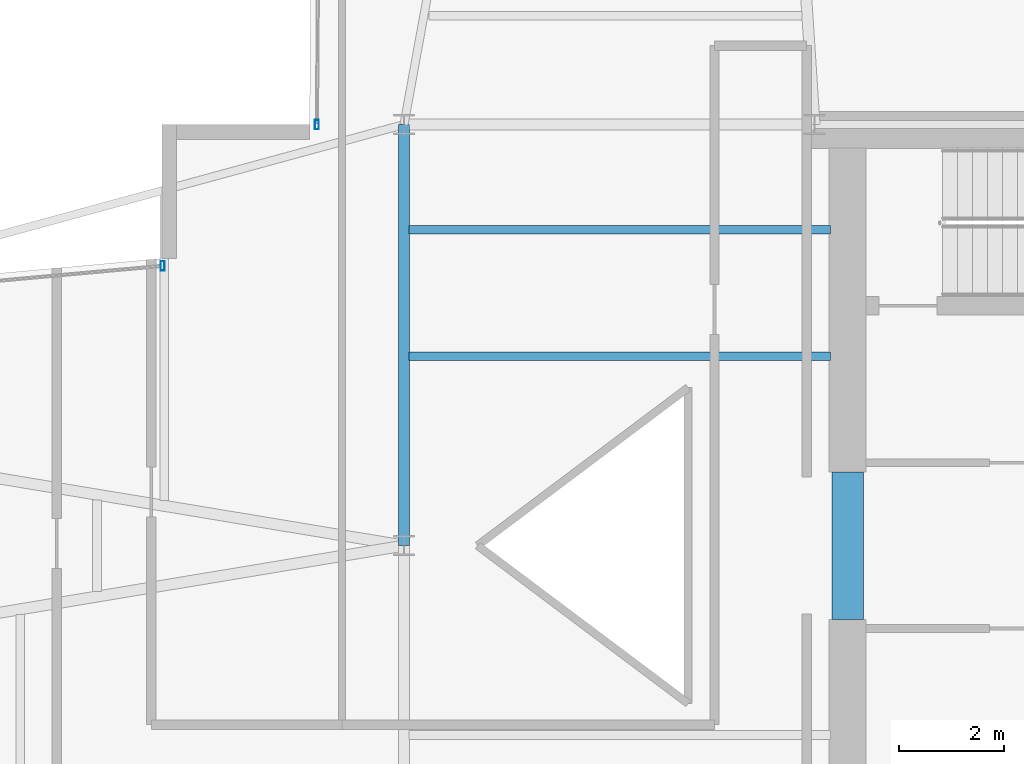
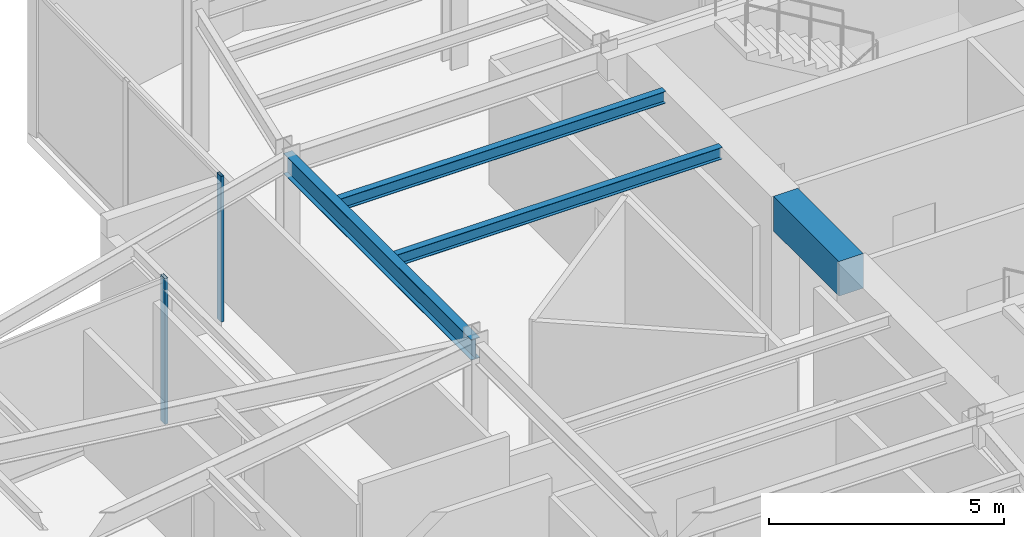
# One storey, part 11 of 23: 4 beams, 2 members, 2 elements without a shape of their own.
"""IFC4 building model written with IfcOpenShell, lengths in metres."""

from ifc_helpers import new_model, si_unit, direction, frame, origin, origin_2d, place, context, subcontext, project, spatial, rectangle, hollow_rectangle, i_section, extrude, material, layer, layer_set, material_profile, profile_set, type_object, element, aggregate, save


model = new_model("IFC4")

# Units and contexts
model_context = context("Model", 3, precision=1e-05, world=origin(), true_north=direction((0.0, 1.0)))
body_context = subcontext(model_context, "Body", "Model", "MODEL_VIEW")
ifc_project = project(units=[si_unit("LENGTHUNIT", "METRE"), si_unit("AREAUNIT", "SQUARE_METRE"), si_unit("VOLUMEUNIT", "CUBIC_METRE"), si_unit("PLANEANGLEUNIT", "RADIAN"), si_unit("MASSUNIT", "GRAM", prefix="KILO")], contexts=[model_context])

# Site, building, storey
site_placement = place(None, origin())
site = spatial("IfcSite", under=ifc_project, at=site_placement, CompositionType="ELEMENT")
building_placement = place(site_placement, origin())
building = spatial("IfcBuilding", under=site, at=building_placement, Name="Veymaron Broadcast Tower", CompositionType="ELEMENT")
storey_placement = place(building_placement, frame((0.0, 0.0, 191.85009765625)))
storey = spatial("IfcBuildingStorey", under=building, at=storey_placement, Name="L44", CompositionType="ELEMENT", Elevation=191.85009765625)

# Beams
ifc_material_1 = material(Name="Concrete C60/75", Category="concrete")
ifc_material_profile_1 = material_profile(ifc_material_1, rectangle(XDim=0.60009765625, YDim=0.89990234375, at=origin_2d()), Name="RC600X900")
ifc_profile_set_1 = profile_set([ifc_material_profile_1], Name="Concrete C60/75")
beam_type_1 = type_object("IfcBeamType", Name="BM-CB2", PredefinedType="LINTEL", material=ifc_profile_set_1)
beam_1_placement = place(storey_placement, frame((39.6298828125, 22.60009765625, 3.33984375), z_axis=(0.0, 1.0, 0.0), x_axis=(-1.0, 0.0, 0.0)))
element("IfcBeam", 1, at=beam_1_placement, inside=storey, type_object=beam_type_1, Name="L44 Core Wall west coupling beam", PredefinedType="LINTEL", context=body_context, shape_type="SweptSolid", body=[
    extrude(rectangle(XDim=0.60009765625, YDim=0.89990234375, at=origin_2d()), origin(), (0.0, 0.0, 1.0), 2.7998046875),
])
ifc_material_2 = material(Name="Structural steel ASTM A992 Gr 50", Category="steel")
ifc_material_profile_2 = material_profile(ifc_material_2, i_section(OverallWidth=0.2099609375, OverallDepth=0.537109375, WebThickness=0.010986328125, FlangeThickness=0.017333984375, at=origin_2d()), Name="W530X101")
ifc_profile_set_2 = profile_set([ifc_material_profile_2], Name="Structural steel ASTM A992 Gr 50")
beam_type_2 = type_object("IfcBeamType", Name="BM-FG3", PredefinedType="BEAM", material=ifc_profile_set_2)
beam_2_placement = place(storey_placement, frame((31.199951171875, 24.0, 3.521484375), z_axis=(0.0, 1.0, 0.0), x_axis=(-1.0, 0.0, 0.0)))
element("IfcBeam", 2, at=beam_2_placement, inside=storey, type_object=beam_type_2, Name="L44 primary structural floor girder", PredefinedType="BEAM", context=body_context, shape_type="SweptSolid", body=[
    extrude(i_section(OverallWidth=0.2099609375, OverallDepth=0.537109375, WebThickness=0.010986328125, FlangeThickness=0.017333984375, at=origin_2d()), origin(), (0.0, 0.0, 1.0), 8.0),
])
ifc_material_profile_3 = material_profile(ifc_material_2, i_section(OverallWidth=0.1650390625, OverallDepth=0.31005859375, WebThickness=0.005859375, FlangeThickness=0.009765625, at=origin_2d()), Name="W310X39")
ifc_profile_set_3 = profile_set([ifc_material_profile_3], Name="Structural steel ASTM A992 Gr 50")
beam_type_3 = type_object("IfcBeamType", Name="BM-JS3", PredefinedType="JOIST", material=ifc_profile_set_3)
for number, where, z_axis, x_axis, name in (
    (3, (31.300048828125, 27.60009765625, 3.635009765625), (1.0, 0.0, 0.0), (0.0, 1.0, 0.0), "L44 Hub secondary joist 3"),
    (4, (31.300048828125, 30.0, 3.635009765625), (1.0, 0.0, 0.0), (0.0, 1.0, 0.0), "L44 Hub secondary joist 4"),
):
    element("IfcBeam", number, at=place(storey_placement, frame(where, z_axis=z_axis, x_axis=x_axis)), inside=storey, type_object=beam_type_3, Name=name, PredefinedType="JOIST", context=body_context, shape_type="SweptSolid", body=[
        extrude(i_section(OverallWidth=0.1650390625, OverallDepth=0.31005859375, WebThickness=0.005859375, FlangeThickness=0.009765625, at=origin_2d()), origin(), (0.0, 0.0, 1.0), 8.0),
    ])

# Curtain wall, member
ifc_material_3 = material(Name="Anodised aluminium AA 6063-T6 and laminated low-E dark glass", Category="aluminium")
ifc_layer = layer(ifc_material_3, 0.179931640625)
ifc_layer_set = layer_set([ifc_layer], Name="Anodised aluminium AA 6063-T6 and laminated low-E dark glass")
curtain_wall_type = type_object("IfcCurtainWallType", Name="CW-SYS-05", PredefinedType="NOTDEFINED", material=ifc_layer_set)
curtain_wall_1_placement = place(storey_placement, origin())
curtain_wall_1 = element("IfcCurtainWall", 5, at=curtain_wall_1_placement, inside=storey, type_object=curtain_wall_type, Name="L44 dark-glass curtain wall CW-L44-E8-1", PredefinedType="NOTDEFINED")
ifc_material_4 = material(Name="Anodised aluminium AA 6063-T6", Category="aluminium")
ifc_material_profile_4 = material_profile(ifc_material_4, hollow_rectangle(XDim=0.074951171875, YDim=0.179931640625, WallThickness=0.0048828125, at=origin_2d()), Name="AL180X75X5")
ifc_profile_set_4 = profile_set([ifc_material_profile_4], Name="Anodised aluminium AA 6063-T6")
member_type = type_object("IfcMemberType", Name="CW-MUL-02", PredefinedType="MULLION", material=ifc_profile_set_4)
member_1_placement = place(storey_placement, frame((29.545654296875, 31.9990234375, 0.0), z_axis=(0.0, 0.0, 1.0), x_axis=(1.0, 0.0, 0.0)))
member_1 = element("IfcMember", 6, at=member_1_placement, type_object=member_type, Name="CW-L44-E8-1 mullion 2", PredefinedType="MULLION", context=body_context, shape_type="SweptSolid", body=[
    extrude(hollow_rectangle(XDim=0.074951171875, YDim=0.179931640625, WallThickness=0.0048828125, at=origin_2d()), origin(), (0.0, 0.0, 1.0), 3.789794921875),
])
aggregate(curtain_wall_1, [member_1])

curtain_wall_2_placement = place(storey_placement, origin())
curtain_wall_2 = element("IfcCurtainWall", 7, at=curtain_wall_2_placement, inside=storey, type_object=curtain_wall_type, Name="L44 dark-glass curtain wall CW-L44-E11-1", PredefinedType="NOTDEFINED")
member_2_placement = place(storey_placement, frame((26.61279296875, 29.315185546875, 0.0), z_axis=(0.0, 0.0, 1.0), x_axis=(1.0, 0.0, 0.0)))
member_2 = element("IfcMember", 8, at=member_2_placement, type_object=member_type, Name="CW-L44-E11-1 mullion 0", PredefinedType="MULLION", context=body_context, shape_type="SweptSolid", body=[
    extrude(hollow_rectangle(XDim=0.074951171875, YDim=0.179931640625, WallThickness=0.0048828125, at=origin_2d()), origin(), (0.0, 0.0, 1.0), 3.789794921875),
])
aggregate(curtain_wall_2, [member_2])

save(model, "model.ifc")
